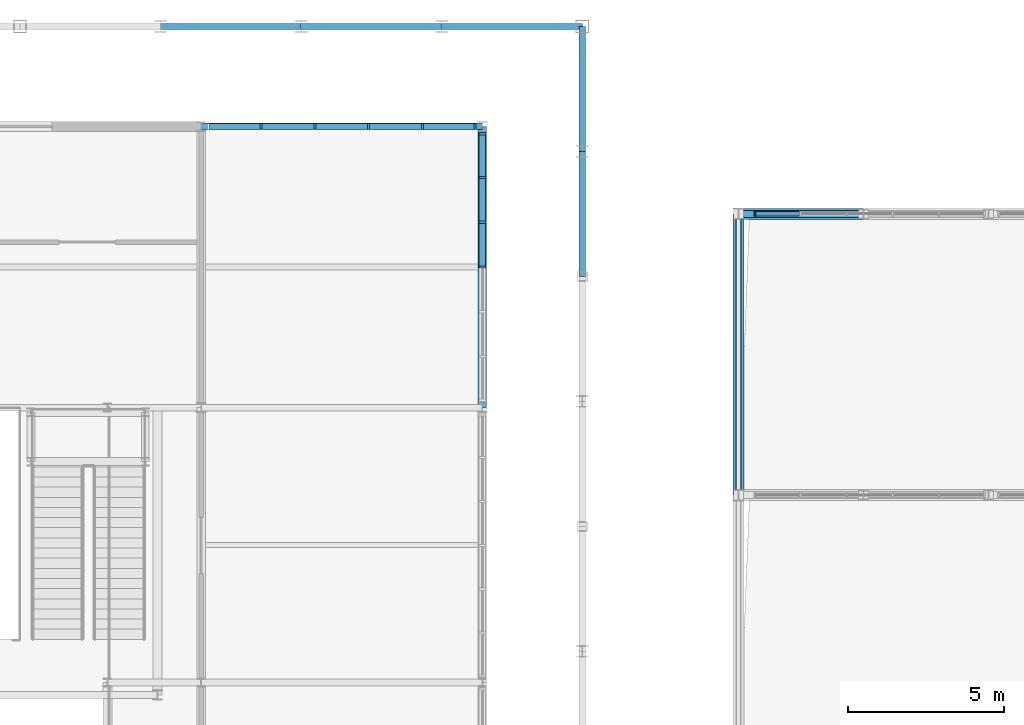
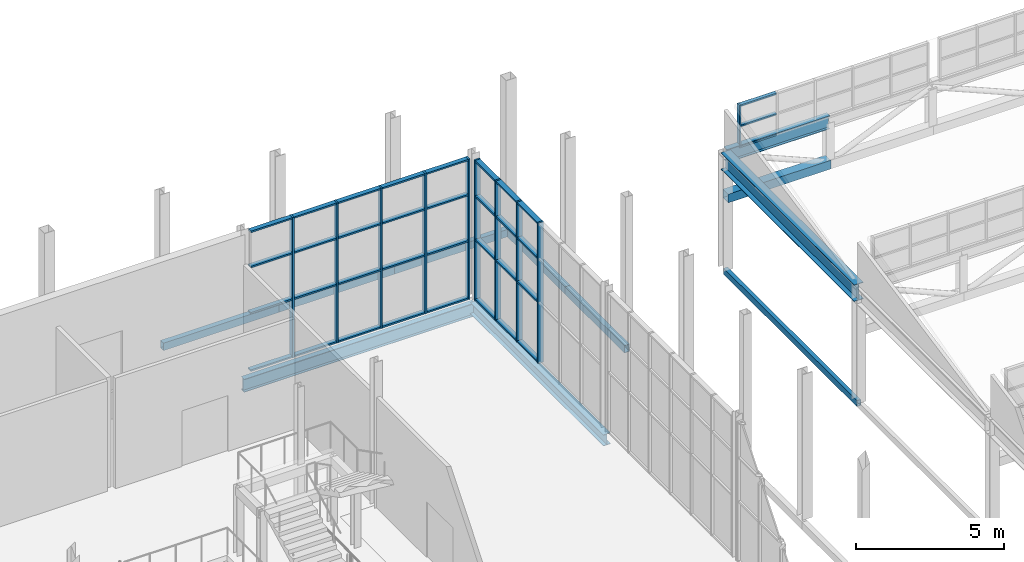
# One storey, part 84 of 159: 47 members, 9 beams, 3 elements without a shape of their own.
"""IFC4 building model written with IfcOpenShell, lengths in metres."""

import ifcopenshell
import ifcopenshell.guid

model = None  # the IFC model being written
_history = None  # IfcOwnerHistory: only IFC2X3 demands one
_inside = {}  # id of a spatial element -> (the spatial element, [elements in it])
_under = {}  # id of a project, library or spatial element -> (it, [spatial elements below it])
_declared = {}  # id of a project -> (the project, [libraries it declares])
_typed = {}  # id of a type object -> (the type object, [elements of that type])
_made_of = {}  # id of a material, layer set ... -> (it, [elements and type objects made of it])


def new_model(schema):
    """Start an empty IFC model of exactly this schema.

    Asked for "IFC4X3", IfcOpenShell would pick the latest addendum, in which some entities
    have other attributes; the version numbers below select the first issue.
    IFC2X3 requires an IfcOwnerHistory on every rooted entity: one is made here for all.
    """
    global model, _history
    if schema == "IFC4X3":
        model = ifcopenshell.file(schema_version=(4, 3, 0, 0))
    else:
        model = ifcopenshell.file(schema=schema)
    _inside.clear()
    _under.clear()
    _declared.clear()
    _typed.clear()
    _made_of.clear()
    _history = None
    if model.schema == "IFC2X3":
        org = make("IfcOrganization", Name="unknown")
        user = make(
            "IfcPersonAndOrganization",
            ThePerson=make("IfcPerson", FamilyName="unknown"),
            TheOrganization=org,
        )
        app = make(
            "IfcApplication",
            ApplicationDeveloper=org,
            Version="unknown",
            ApplicationFullName="unknown",
            ApplicationIdentifier="unknown",
        )
        _history = make(
            "IfcOwnerHistory",
            OwningUser=user,
            OwningApplication=app,
            ChangeAction="ADDED",
            CreationDate=0,
        )
    return model


def make(cls, **values):
    """One entity of the class cls with the attributes given. An attribute that is None is left unset."""
    return model.create_entity(
        cls, **{name: value for name, value in values.items() if value is not None}
    )


def rooted(cls, **values):
    """An entity with a GlobalId (a new one), such as an element, a storey or a relation."""
    return make(cls, GlobalId=ifcopenshell.guid.new(), OwnerHistory=_history, **values)


def si_unit(unit_type, name, prefix=None):
    """IfcSIUnit, for example si_unit("LENGTHUNIT", "METRE", prefix="MILLI")."""
    return make("IfcSIUnit", UnitType=unit_type, Prefix=prefix, Name=name)


def assignment(units):
    """IfcUnitAssignment: the units of a project."""
    return None if units is None else make("IfcUnitAssignment", Units=units)


def point(xyz):
    """IfcCartesianPoint."""
    return None if xyz is None else make("IfcCartesianPoint", Coordinates=xyz)


def direction(xyz):
    """IfcDirection."""
    return None if xyz is None else make("IfcDirection", DirectionRatios=xyz)


def frame(location, z_axis=None, x_axis=None):
    """IfcAxis2Placement3D, a coordinate frame: its origin and axes. An axis left out is left unset."""
    return make(
        "IfcAxis2Placement3D",
        Location=point(location),
        Axis=direction(z_axis),
        RefDirection=direction(x_axis),
    )


def frame_2d(location, x_axis=None):
    """IfcAxis2Placement2D, a coordinate frame in the plane: its origin and x axis."""
    return make(
        "IfcAxis2Placement2D", Location=point(location), RefDirection=direction(x_axis)
    )


def origin():
    """The frame at (0, 0, 0) with its axes left unset."""
    return frame((0.0, 0.0, 0.0))


def origin_2d():
    """The frame at (0, 0) in the plane with its x axis left unset."""
    return frame_2d((0.0, 0.0))


def place(relative_to, where):
    """IfcLocalPlacement: puts the frame where relative to a parent placement (None: the world)."""
    return make(
        "IfcLocalPlacement", PlacementRelTo=relative_to, RelativePlacement=where
    )


def context(
    kind, dimensions, precision=None, world=None, true_north=None, identifier=None
):
    """IfcGeometricRepresentationContext, for example the 3D "Model" context."""
    return make(
        "IfcGeometricRepresentationContext",
        ContextIdentifier=identifier,
        ContextType=kind,
        CoordinateSpaceDimension=dimensions,
        Precision=precision,
        WorldCoordinateSystem=world,
        TrueNorth=true_north,
    )


def subcontext(parent, identifier, kind, view, scale=None):
    """IfcGeometricRepresentationSubContext, for example "Body" below "Model"."""
    return make(
        "IfcGeometricRepresentationSubContext",
        ContextIdentifier=identifier,
        ContextType=kind,
        ParentContext=parent,
        TargetScale=scale,
        TargetView=view,
    )


def project(units=None, contexts=None):
    """IfcProject with its units and contexts."""
    return rooted(
        "IfcProject",
        Name="project",
        RepresentationContexts=contexts,
        UnitsInContext=assignment(units),
    )


def spatial(cls, under=None, at=None, **own):
    """A site, building, storey or space (cls), placed at a placement, below another one or the project."""
    s = rooted(cls, ObjectPlacement=at, **own)
    if under is not None:
        _under.setdefault(under.id(), (under, []))[1].append(s)
    return s


def profile(cls, at=None, kind="AREA", **sizes):
    """A parametric profile (cls). Its sizes go by their IFC names, for example OverallWidth=200.0."""
    return make(cls, ProfileType=kind, Position=at, **sizes)


def rectangle(**sizes):
    """IfcRectangleProfileDef."""
    return profile("IfcRectangleProfileDef", **sizes)


def hollow_rectangle(**sizes):
    """IfcRectangleHollowProfileDef."""
    return profile("IfcRectangleHollowProfileDef", **sizes)


def i_section(**sizes):
    """IfcIShapeProfileDef."""
    return profile("IfcIShapeProfileDef", **sizes)


def extrude(swept, where, along, depth):
    """IfcExtrudedAreaSolid: the profile swept, set in the frame where, extruded along a direction by depth."""
    return make(
        "IfcExtrudedAreaSolid",
        SweptArea=swept,
        Position=where,
        ExtrudedDirection=direction(along),
        Depth=depth,
    )


def shape(context_of_items, identifier, shape_type, items):
    """IfcShapeRepresentation: the items that make up one representation, for example the "Body"."""
    return make(
        "IfcShapeRepresentation",
        ContextOfItems=context_of_items,
        RepresentationIdentifier=identifier,
        RepresentationType=shape_type,
        Items=items,
    )


def material(Name=None, Category=None):
    """IfcMaterial."""
    return make("IfcMaterial", Name=Name, Category=Category)


def layer(
    of_material, thickness, ventilated=None, Name=None, Category=None, Priority=None
):
    """IfcMaterialLayer: one layer of a wall or slab, of a material (None: an air gap)."""
    return make(
        "IfcMaterialLayer",
        Material=of_material,
        LayerThickness=thickness,
        IsVentilated=ventilated,
        Name=Name,
        Category=Category,
        Priority=Priority,
    )


def layer_set(layers, Name=None):
    """IfcMaterialLayerSet."""
    return make("IfcMaterialLayerSet", MaterialLayers=layers, LayerSetName=Name)


def material_profile(
    of_material, cross_section, Name=None, Category=None, Priority=None
):
    """IfcMaterialProfile: a cross section and its material."""
    return make(
        "IfcMaterialProfile",
        Name=Name,
        Material=of_material,
        Profile=cross_section,
        Priority=Priority,
        Category=Category,
    )


def profile_set(profiles, Name=None, composite=None):
    """IfcMaterialProfileSet."""
    return make(
        "IfcMaterialProfileSet",
        Name=Name,
        MaterialProfiles=profiles,
        CompositeProfile=composite,
    )


def made_of(thing, what):
    """Note that an element or type object is made of a material, layer set ...; save() writes the relation."""
    if what is not None:
        _made_of.setdefault(what.id(), (what, []))[1].append(thing)
    return thing


def type_object(cls, material=None, **own):
    """A type object (cls), such as IfcWallType, which elements share."""
    return made_of(rooted(cls, **own), material)


def element(
    cls,
    number,
    at=None,
    inside=None,
    cuts=None,
    type_object=None,
    material=None,
    context=None,
    identifier="Body",
    shape_type=None,
    held_by="IfcProductDefinitionShape",
    body=None,
    shapes=None,
    **own,
):
    """One element of the class cls, such as IfcWall. Its Tag is "e" and its number.

    at: its placement. inside: the storey or other place that contains it. cuts: it is an
    opening in that element (IfcRelVoidsElement). A single representation is given by context,
    identifier, shape_type and body (its items); several are given by shapes. held_by: the class
    of the entity that holds the representations. save() writes the other relations.
    """
    e = rooted(cls, Tag="e%d" % number, ObjectPlacement=at, **own)
    if body is not None:
        shapes = [shape(context, identifier, shape_type, body)]
    if shapes is not None:
        e.Representation = make(held_by, Representations=shapes)
    if inside is not None:
        _inside.setdefault(inside.id(), (inside, []))[1].append(e)
    if cuts is not None:
        rooted(
            "IfcRelVoidsElement", RelatingBuildingElement=cuts, RelatedOpeningElement=e
        )
    if type_object is not None:
        _typed.setdefault(type_object.id(), (type_object, []))[1].append(e)
    return made_of(e, material)


def aggregate(whole, parts):
    """IfcRelAggregates: a whole, such as a stair, and the parts it consists of."""
    return rooted("IfcRelAggregates", RelatingObject=whole, RelatedObjects=parts)


def save(model, path):
    """Write the relations noted so far, then the file.

    IfcRelAggregates (storeys below a building ...), IfcRelContainedInSpatialStructure (elements
    in a storey), IfcRelDefinesByType, IfcRelAssociatesMaterial and IfcRelDeclares: one each for
    every whole, place, type object, material and project.
    """
    for whole, parts in _under.values():
        aggregate(whole, parts)
    for where, things in _inside.values():
        rooted(
            "IfcRelContainedInSpatialStructure",
            RelatedElements=things,
            RelatingStructure=where,
        )
    for kind, things in _typed.values():
        rooted("IfcRelDefinesByType", RelatedObjects=things, RelatingType=kind)
    for what, things in _made_of.values():
        rooted("IfcRelAssociatesMaterial", RelatedObjects=things, RelatingMaterial=what)
    for by, libraries in _declared.values():
        rooted("IfcRelDeclares", RelatingContext=by, RelatedDefinitions=libraries)
    model.write(path)


model = new_model("IFC4")

# Units and contexts
model_context = context("Model", 3, precision=1e-05, world=origin(), true_north=direction((0.0, 1.0)))
body_context = subcontext(model_context, "Body", "Model", "MODEL_VIEW")
ifc_project = project(units=[si_unit("LENGTHUNIT", "METRE"), si_unit("AREAUNIT", "SQUARE_METRE"), si_unit("VOLUMEUNIT", "CUBIC_METRE"), si_unit("PLANEANGLEUNIT", "RADIAN"), si_unit("MASSUNIT", "GRAM", prefix="KILO")], contexts=[model_context])

# Site, building, storey
site_placement = place(None, origin())
site = spatial("IfcSite", under=ifc_project, at=site_placement, CompositionType="ELEMENT")
building_placement = place(site_placement, origin())
building = spatial("IfcBuilding", under=site, at=building_placement, Name="Cazmaro Siding Exhibition Halls", CompositionType="ELEMENT")
storey_placement = place(building_placement, frame((0.0, 0.0, 6.0)))
storey = spatial("IfcBuildingStorey", under=building, at=storey_placement, Name="L01", CompositionType="ELEMENT", Elevation=6.0)

# Beams
ifc_material_1 = material(Name="Steel ASTM A992 Grade 50", Category="steel")
ifc_material_profile_1 = material_profile(ifc_material_1, i_section(OverallWidth=0.2099609375, OverallDepth=0.535888671875, WebThickness=0.010986328125, FlangeThickness=0.01708984375, at=origin_2d()), Name="W21X68")
ifc_profile_set_1 = profile_set([ifc_material_profile_1], Name="Steel ASTM A992 Grade 50")
beam_type_1 = type_object("IfcBeamType", Name="B-02", PredefinedType="BEAM", material=ifc_profile_set_1)
beam_1_placement = place(storey_placement, frame((158.800048828125, 120.800048828125, -0.488037109375), z_axis=(1.0, 0.0, 0.0), x_axis=(0.0, 1.0, 0.0)))
element("IfcBeam", 1, at=beam_1_placement, inside=storey, type_object=beam_type_1, Name="Beam B-02 BM-0298", PredefinedType="BEAM", context=body_context, shape_type="SweptSolid", body=[
    extrude(i_section(OverallWidth=0.2099609375, OverallDepth=0.535888671875, WebThickness=0.010986328125, FlangeThickness=0.01708984375, at=origin_2d()), origin(), (0.0, 0.0, 1.0), 9.0),
])
ifc_material_2 = material(Name="Steel ASTM A992 Grade 50", Category="steel")
ifc_material_profile_2 = material_profile(ifc_material_2, i_section(OverallWidth=0.279052734375, OverallDepth=0.4619140625, WebThickness=0.010986328125, FlangeThickness=0.01708984375, at=origin_2d()), Name="W18X76")
ifc_profile_set_2 = profile_set([ifc_material_profile_2], Name="Steel ASTM A992 Grade 50")
beam_type_2 = type_object("IfcBeamType", Name="B-03", PredefinedType="BEAM", material=ifc_profile_set_2)
beam_2_placement = place(storey_placement, frame((167.800048828125, 111.800048828125, -0.450927734375), z_axis=(0.0, 1.0, 0.0), x_axis=(-1.0, 0.0, 0.0)))
element("IfcBeam", 2, at=beam_2_placement, inside=storey, type_object=beam_type_2, Name="Beam B-03 BM-0313", PredefinedType="BEAM", context=body_context, shape_type="SweptSolid", body=[
    extrude(i_section(OverallWidth=0.279052734375, OverallDepth=0.4619140625, WebThickness=0.010986328125, FlangeThickness=0.01708984375, at=origin_2d()), origin(), (0.0, 0.0, 1.0), 9.0),
])

# Curtain wall, members
ifc_material_3 = material(Name="Anodized Bronze Aluminum and Solar-Control Low-E Glazing", Category="aluminium")
ifc_layer_1 = layer(ifc_material_3, 0.199951171875)
ifc_layer_set_1 = layer_set([ifc_layer_1], Name="Anodized Bronze Aluminum and Solar-Control Low-E Glazing")
curtain_wall_type_1 = type_object("IfcCurtainWallType", Name="CWS-02", PredefinedType="USERDEFINED", material=ifc_layer_set_1)
curtain_wall_1_placement = place(storey_placement, origin())
curtain_wall_1 = element("IfcCurtainWall", 3, at=curtain_wall_1_placement, inside=storey, type_object=curtain_wall_type_1, Name="Glazed Curtain Wall CWS-02 CW-048", ObjectType="GLAZED CURTAIN WALL", PredefinedType="USERDEFINED")
ifc_material_4 = material(Name="Anodized Bronze Extruded Aluminum", Category="aluminium")
ifc_material_profile_3 = material_profile(ifc_material_4, rectangle(XDim=0.199951171875, YDim=0.06494140625, at=origin_2d()), Name="CWM-02")
ifc_profile_set_3 = profile_set([ifc_material_profile_3], Name="Anodized Bronze Extruded Aluminum")
member_type_1 = type_object("IfcMemberType", Name="CWM-02", PredefinedType="MULLION", material=ifc_profile_set_3)
member_1_placement = place(storey_placement, frame((167.570556640625, 120.800048828125, 0.0), z_axis=(0.0, 0.0, 1.0), x_axis=(0.0, -1.0, 0.0)))
member_1 = element("IfcMember", 4, at=member_1_placement, type_object=member_type_1, Name="CWS-02 mullion 1", PredefinedType="MULLION", context=body_context, shape_type="SweptSolid", body=[
    extrude(rectangle(XDim=0.199951171875, YDim=0.06494140625, at=origin_2d()), origin(), (0.0, 0.0, 1.0), 5.780029296875),
])
member_2_placement = place(storey_placement, frame((165.8818359375, 120.800048828125, 0.0), z_axis=(0.0, 0.0, 1.0), x_axis=(0.0, -1.0, 0.0)))
member_2 = element("IfcMember", 5, at=member_2_placement, type_object=member_type_1, Name="CWS-02 mullion 2", PredefinedType="MULLION", context=body_context, shape_type="SweptSolid", body=[
    extrude(rectangle(XDim=0.199951171875, YDim=0.06494140625, at=origin_2d()), origin(), (0.0, 0.0, 1.0), 5.780029296875),
])
member_3_placement = place(storey_placement, frame((164.16064453125, 120.800048828125, 0.0), z_axis=(0.0, 0.0, 1.0), x_axis=(0.0, -1.0, 0.0)))
member_3 = element("IfcMember", 6, at=member_3_placement, type_object=member_type_1, Name="CWS-02 mullion 3", PredefinedType="MULLION", context=body_context, shape_type="SweptSolid", body=[
    extrude(rectangle(XDim=0.199951171875, YDim=0.06494140625, at=origin_2d()), origin(), (0.0, 0.0, 1.0), 5.780029296875),
])
member_4_placement = place(storey_placement, frame((162.439453125, 120.800048828125, 0.0), z_axis=(0.0, 0.0, 1.0), x_axis=(0.0, -1.0, 0.0)))
member_4 = element("IfcMember", 7, at=member_4_placement, type_object=member_type_1, Name="CWS-02 mullion 4", PredefinedType="MULLION", context=body_context, shape_type="SweptSolid", body=[
    extrude(rectangle(XDim=0.199951171875, YDim=0.06494140625, at=origin_2d()), origin(), (0.0, 0.0, 1.0), 5.780029296875),
])
member_5_placement = place(storey_placement, frame((160.71826171875, 120.800048828125, 0.0), z_axis=(0.0, 0.0, 1.0), x_axis=(0.0, -1.0, 0.0)))
member_5 = element("IfcMember", 8, at=member_5_placement, type_object=member_type_1, Name="CWS-02 mullion 5", PredefinedType="MULLION", context=body_context, shape_type="SweptSolid", body=[
    extrude(rectangle(XDim=0.199951171875, YDim=0.06494140625, at=origin_2d()), origin(), (0.0, 0.0, 1.0), 5.780029296875),
])

ifc_material_5 = material(Name="Anodized Bronze Aluminum and Solar-Control Low-E Glazing", Category="aluminium")
ifc_layer_2 = layer(ifc_material_5, 0.219970703125)
ifc_layer_set_2 = layer_set([ifc_layer_2], Name="Anodized Bronze Aluminum and Solar-Control Low-E Glazing")
curtain_wall_type_2 = type_object("IfcCurtainWallType", Name="CWS-03", PredefinedType="USERDEFINED", material=ifc_layer_set_2)
curtain_wall_2_placement = place(storey_placement, origin())
curtain_wall_2 = element("IfcCurtainWall", 9, at=curtain_wall_2_placement, inside=storey, type_object=curtain_wall_type_2, Name="Glazed Curtain Wall CWS-03 CW-078", ObjectType="GLAZED CURTAIN WALL", PredefinedType="USERDEFINED")
ifc_material_6 = material(Name="Anodized Bronze Extruded Aluminum", Category="aluminium")
ifc_material_profile_4 = material_profile(ifc_material_6, rectangle(XDim=0.219970703125, YDim=0.070068359375, at=origin_2d()), Name="CWM-03")
ifc_profile_set_4 = profile_set([ifc_material_profile_4], Name="Anodized Bronze Extruded Aluminum")
member_type_2 = type_object("IfcMemberType", Name="CWM-03", PredefinedType="MULLION", material=ifc_profile_set_4)
member_6_placement = place(storey_placement, frame((167.800048828125, 116.300048828125, 0.0), z_axis=(0.0, 0.0, 1.0), x_axis=(-1.0, 0.0, 0.0)))
member_6 = element("IfcMember", 10, at=member_6_placement, type_object=member_type_2, Name="CWS-03 mullion 4", PredefinedType="MULLION", context=body_context, shape_type="SweptSolid", body=[
    extrude(rectangle(XDim=0.219970703125, YDim=0.070068359375, at=origin_2d()), origin(), (0.0, 0.0, 1.0), 5.780029296875),
])
member_7_placement = place(storey_placement, frame((167.800048828125, 117.73388671875, 0.0), z_axis=(0.0, 0.0, 1.0), x_axis=(-1.0, 0.0, 0.0)))
member_7 = element("IfcMember", 11, at=member_7_placement, type_object=member_type_2, Name="CWS-03 mullion 5", PredefinedType="MULLION", context=body_context, shape_type="SweptSolid", body=[
    extrude(rectangle(XDim=0.219970703125, YDim=0.070068359375, at=origin_2d()), origin(), (0.0, 0.0, 1.0), 5.780029296875),
])
member_8_placement = place(storey_placement, frame((167.800048828125, 119.16796875, 0.0), z_axis=(0.0, 0.0, 1.0), x_axis=(-1.0, 0.0, 0.0)))
member_8 = element("IfcMember", 12, at=member_8_placement, type_object=member_type_2, Name="CWS-03 mullion 6", PredefinedType="MULLION", context=body_context, shape_type="SweptSolid", body=[
    extrude(rectangle(XDim=0.219970703125, YDim=0.070068359375, at=origin_2d()), origin(), (0.0, 0.0, 1.0), 5.780029296875),
])
member_9_placement = place(storey_placement, frame((167.800048828125, 120.56689453125, 0.0), z_axis=(0.0, 0.0, 1.0), x_axis=(-1.0, 0.0, 0.0)))
member_9 = element("IfcMember", 13, at=member_9_placement, type_object=member_type_2, Name="CWS-03 mullion 7", PredefinedType="MULLION", context=body_context, shape_type="SweptSolid", body=[
    extrude(rectangle(XDim=0.219970703125, YDim=0.070068359375, at=origin_2d()), origin(), (0.0, 0.0, 1.0), 5.780029296875),
])

# Curtain wall, member
ifc_material_7 = material(Name="Anodized Bronze Aluminum and Solar-Control Low-E Glazing", Category="aluminium")
ifc_layer_3 = layer(ifc_material_7, 0.159912109375)
ifc_layer_set_3 = layer_set([ifc_layer_3], Name="Anodized Bronze Aluminum and Solar-Control Low-E Glazing")
curtain_wall_type_3 = type_object("IfcCurtainWallType", Name="CWS-04", PredefinedType="USERDEFINED", material=ifc_layer_set_3)
curtain_wall_3_placement = place(storey_placement, origin())
curtain_wall_3 = element("IfcCurtainWall", 14, at=curtain_wall_3_placement, inside=storey, type_object=curtain_wall_type_3, Name="Clerestory Curtain Wall CWS-04 CW-135", ObjectType="CLERESTORY CURTAIN WALL", PredefinedType="USERDEFINED")
ifc_material_8 = material(Name="Anodized Bronze Extruded Aluminum", Category="aluminium")
ifc_material_profile_5 = material_profile(ifc_material_8, rectangle(XDim=0.159912109375, YDim=0.06005859375, at=origin_2d()), Name="CWM-04")
ifc_profile_set_5 = profile_set([ifc_material_profile_5], Name="Anodized Bronze Extruded Aluminum")
member_type_3 = type_object("IfcMemberType", Name="CWM-04", PredefinedType="MULLION", material=ifc_profile_set_5)
member_10_placement = place(storey_placement, frame((176.530029296875, 118.0, 4.800048828125), z_axis=(0.0, 0.0, 1.0), x_axis=(0.0, -1.0, 0.0)))
member_10 = element("IfcMember", 15, at=member_10_placement, type_object=member_type_3, Name="CWS-04 mullion 6", PredefinedType="MULLION", context=body_context, shape_type="SweptSolid", body=[
    extrude(rectangle(XDim=0.159912109375, YDim=0.06005859375, at=origin_2d()), origin(), (0.0, 0.0, 1.0), 1.75),
])

# Member
ifc_material_9 = material(Name="Anodized Bronze Extruded Aluminum", Category="aluminium")
ifc_material_profile_6 = material_profile(ifc_material_9, rectangle(XDim=0.179931640625, YDim=0.06494140625, at=origin_2d()), Name="CWT-02")
ifc_profile_set_6 = profile_set([ifc_material_profile_6], Name="Anodized Bronze Extruded Aluminum")
member_type_4 = type_object("IfcMemberType", Name="CWT-02", PredefinedType="MULLION", material=ifc_profile_set_6)
member_11_placement = place(storey_placement, frame((167.5380859375, 120.800048828125, 0.032470703125), z_axis=(-1.0, 0.0, 0.0), x_axis=(0.0, -1.0, 0.0)))
member_11 = element("IfcMember", 16, at=member_11_placement, type_object=member_type_4, Name="CWS-02 transom 1.1", ObjectType="TRANSOM", PredefinedType="USERDEFINED", context=body_context, shape_type="SweptSolid", body=[
    extrude(rectangle(XDim=0.179931640625, YDim=0.06494140625, at=origin_2d()), origin(), (0.0, 0.0, 1.0), 1.623779296875),
])

member_12_placement = place(storey_placement, frame((167.5380859375, 120.800048828125, 2.39990234375), z_axis=(-1.0, 0.0, 0.0), x_axis=(0.0, -1.0, 0.0)))
member_12 = element("IfcMember", 17, at=member_12_placement, type_object=member_type_4, Name="CWS-02 transom 1.2", ObjectType="TRANSOM", PredefinedType="USERDEFINED", context=body_context, shape_type="SweptSolid", body=[
    extrude(rectangle(XDim=0.179931640625, YDim=0.06494140625, at=origin_2d()), origin(), (0.0, 0.0, 1.0), 1.623779296875),
])

member_13_placement = place(storey_placement, frame((167.5380859375, 120.800048828125, 4.300048828125), z_axis=(-1.0, 0.0, 0.0), x_axis=(0.0, -1.0, 0.0)))
member_13 = element("IfcMember", 18, at=member_13_placement, type_object=member_type_4, Name="CWS-02 transom 1.3", ObjectType="TRANSOM", PredefinedType="USERDEFINED", context=body_context, shape_type="SweptSolid", body=[
    extrude(rectangle(XDim=0.179931640625, YDim=0.06494140625, at=origin_2d()), origin(), (0.0, 0.0, 1.0), 1.623779296875),
])

member_14_placement = place(storey_placement, frame((167.5380859375, 120.800048828125, 5.74755859375), z_axis=(-1.0, 0.0, 0.0), x_axis=(0.0, -1.0, 0.0)))
member_14 = element("IfcMember", 19, at=member_14_placement, type_object=member_type_4, Name="CWS-02 transom 1.4", ObjectType="TRANSOM", PredefinedType="USERDEFINED", context=body_context, shape_type="SweptSolid", body=[
    extrude(rectangle(XDim=0.179931640625, YDim=0.06494140625, at=origin_2d()), origin(), (0.0, 0.0, 1.0), 1.623779296875),
])

member_15_placement = place(storey_placement, frame((165.849365234375, 120.800048828125, 0.032470703125), z_axis=(-1.0, 0.0, 0.0), x_axis=(0.0, -1.0, 0.0)))
member_15 = element("IfcMember", 20, at=member_15_placement, type_object=member_type_4, Name="CWS-02 transom 2.1", ObjectType="TRANSOM", PredefinedType="USERDEFINED", context=body_context, shape_type="SweptSolid", body=[
    extrude(rectangle(XDim=0.179931640625, YDim=0.06494140625, at=origin_2d()), origin(), (0.0, 0.0, 1.0), 1.65625),
])

member_16_placement = place(storey_placement, frame((165.849365234375, 120.800048828125, 2.39990234375), z_axis=(-1.0, 0.0, 0.0), x_axis=(0.0, -1.0, 0.0)))
member_16 = element("IfcMember", 21, at=member_16_placement, type_object=member_type_4, Name="CWS-02 transom 2.2", ObjectType="TRANSOM", PredefinedType="USERDEFINED", context=body_context, shape_type="SweptSolid", body=[
    extrude(rectangle(XDim=0.179931640625, YDim=0.06494140625, at=origin_2d()), origin(), (0.0, 0.0, 1.0), 1.65625),
])

member_17_placement = place(storey_placement, frame((165.849365234375, 120.800048828125, 4.300048828125), z_axis=(-1.0, 0.0, 0.0), x_axis=(0.0, -1.0, 0.0)))
member_17 = element("IfcMember", 22, at=member_17_placement, type_object=member_type_4, Name="CWS-02 transom 2.3", ObjectType="TRANSOM", PredefinedType="USERDEFINED", context=body_context, shape_type="SweptSolid", body=[
    extrude(rectangle(XDim=0.179931640625, YDim=0.06494140625, at=origin_2d()), origin(), (0.0, 0.0, 1.0), 1.65625),
])

member_18_placement = place(storey_placement, frame((165.849365234375, 120.800048828125, 5.74755859375), z_axis=(-1.0, 0.0, 0.0), x_axis=(0.0, -1.0, 0.0)))
member_18 = element("IfcMember", 23, at=member_18_placement, type_object=member_type_4, Name="CWS-02 transom 2.4", ObjectType="TRANSOM", PredefinedType="USERDEFINED", context=body_context, shape_type="SweptSolid", body=[
    extrude(rectangle(XDim=0.179931640625, YDim=0.06494140625, at=origin_2d()), origin(), (0.0, 0.0, 1.0), 1.65625),
])

member_19_placement = place(storey_placement, frame((164.128173828125, 120.800048828125, 0.032470703125), z_axis=(-1.0, 0.0, 0.0), x_axis=(0.0, -1.0, 0.0)))
member_19 = element("IfcMember", 24, at=member_19_placement, type_object=member_type_4, Name="CWS-02 transom 3.1", ObjectType="TRANSOM", PredefinedType="USERDEFINED", context=body_context, shape_type="SweptSolid", body=[
    extrude(rectangle(XDim=0.179931640625, YDim=0.06494140625, at=origin_2d()), origin(), (0.0, 0.0, 1.0), 1.65625),
])

member_20_placement = place(storey_placement, frame((164.128173828125, 120.800048828125, 2.39990234375), z_axis=(-1.0, 0.0, 0.0), x_axis=(0.0, -1.0, 0.0)))
member_20 = element("IfcMember", 25, at=member_20_placement, type_object=member_type_4, Name="CWS-02 transom 3.2", ObjectType="TRANSOM", PredefinedType="USERDEFINED", context=body_context, shape_type="SweptSolid", body=[
    extrude(rectangle(XDim=0.179931640625, YDim=0.06494140625, at=origin_2d()), origin(), (0.0, 0.0, 1.0), 1.65625),
])

member_21_placement = place(storey_placement, frame((164.128173828125, 120.800048828125, 4.300048828125), z_axis=(-1.0, 0.0, 0.0), x_axis=(0.0, -1.0, 0.0)))
member_21 = element("IfcMember", 26, at=member_21_placement, type_object=member_type_4, Name="CWS-02 transom 3.3", ObjectType="TRANSOM", PredefinedType="USERDEFINED", context=body_context, shape_type="SweptSolid", body=[
    extrude(rectangle(XDim=0.179931640625, YDim=0.06494140625, at=origin_2d()), origin(), (0.0, 0.0, 1.0), 1.65625),
])

member_22_placement = place(storey_placement, frame((164.128173828125, 120.800048828125, 5.74755859375), z_axis=(-1.0, 0.0, 0.0), x_axis=(0.0, -1.0, 0.0)))
member_22 = element("IfcMember", 27, at=member_22_placement, type_object=member_type_4, Name="CWS-02 transom 3.4", ObjectType="TRANSOM", PredefinedType="USERDEFINED", context=body_context, shape_type="SweptSolid", body=[
    extrude(rectangle(XDim=0.179931640625, YDim=0.06494140625, at=origin_2d()), origin(), (0.0, 0.0, 1.0), 1.65625),
])

member_23_placement = place(storey_placement, frame((162.406982421875, 120.800048828125, 0.032470703125), z_axis=(-1.0, 0.0, 0.0), x_axis=(0.0, -1.0, 0.0)))
member_23 = element("IfcMember", 28, at=member_23_placement, type_object=member_type_4, Name="CWS-02 transom 4.1", ObjectType="TRANSOM", PredefinedType="USERDEFINED", context=body_context, shape_type="SweptSolid", body=[
    extrude(rectangle(XDim=0.179931640625, YDim=0.06494140625, at=origin_2d()), origin(), (0.0, 0.0, 1.0), 1.65625),
])

member_24_placement = place(storey_placement, frame((162.406982421875, 120.800048828125, 2.39990234375), z_axis=(-1.0, 0.0, 0.0), x_axis=(0.0, -1.0, 0.0)))
member_24 = element("IfcMember", 29, at=member_24_placement, type_object=member_type_4, Name="CWS-02 transom 4.2", ObjectType="TRANSOM", PredefinedType="USERDEFINED", context=body_context, shape_type="SweptSolid", body=[
    extrude(rectangle(XDim=0.179931640625, YDim=0.06494140625, at=origin_2d()), origin(), (0.0, 0.0, 1.0), 1.65625),
])

member_25_placement = place(storey_placement, frame((162.406982421875, 120.800048828125, 4.300048828125), z_axis=(-1.0, 0.0, 0.0), x_axis=(0.0, -1.0, 0.0)))
member_25 = element("IfcMember", 30, at=member_25_placement, type_object=member_type_4, Name="CWS-02 transom 4.3", ObjectType="TRANSOM", PredefinedType="USERDEFINED", context=body_context, shape_type="SweptSolid", body=[
    extrude(rectangle(XDim=0.179931640625, YDim=0.06494140625, at=origin_2d()), origin(), (0.0, 0.0, 1.0), 1.65625),
])

member_26_placement = place(storey_placement, frame((162.406982421875, 120.800048828125, 5.74755859375), z_axis=(-1.0, 0.0, 0.0), x_axis=(0.0, -1.0, 0.0)))
member_26 = element("IfcMember", 31, at=member_26_placement, type_object=member_type_4, Name="CWS-02 transom 4.4", ObjectType="TRANSOM", PredefinedType="USERDEFINED", context=body_context, shape_type="SweptSolid", body=[
    extrude(rectangle(XDim=0.179931640625, YDim=0.06494140625, at=origin_2d()), origin(), (0.0, 0.0, 1.0), 1.65625),
])

member_27_placement = place(storey_placement, frame((160.685791015625, 120.800048828125, 0.032470703125), z_axis=(-1.0, 0.0, 0.0), x_axis=(0.0, -1.0, 0.0)))
member_27 = element("IfcMember", 32, at=member_27_placement, type_object=member_type_4, Name="CWS-02 transom 5.1", ObjectType="TRANSOM", PredefinedType="USERDEFINED", context=body_context, shape_type="SweptSolid", body=[
    extrude(rectangle(XDim=0.179931640625, YDim=0.06494140625, at=origin_2d()), origin(), (0.0, 0.0, 1.0), 1.623779296875),
])

member_28_placement = place(storey_placement, frame((160.685791015625, 120.800048828125, 2.39990234375), z_axis=(-1.0, 0.0, 0.0), x_axis=(0.0, -1.0, 0.0)))
member_28 = element("IfcMember", 33, at=member_28_placement, type_object=member_type_4, Name="CWS-02 transom 5.2", ObjectType="TRANSOM", PredefinedType="USERDEFINED", context=body_context, shape_type="SweptSolid", body=[
    extrude(rectangle(XDim=0.179931640625, YDim=0.06494140625, at=origin_2d()), origin(), (0.0, 0.0, 1.0), 1.623779296875),
])

member_29_placement = place(storey_placement, frame((160.685791015625, 120.800048828125, 4.300048828125), z_axis=(-1.0, 0.0, 0.0), x_axis=(0.0, -1.0, 0.0)))
member_29 = element("IfcMember", 34, at=member_29_placement, type_object=member_type_4, Name="CWS-02 transom 5.3", ObjectType="TRANSOM", PredefinedType="USERDEFINED", context=body_context, shape_type="SweptSolid", body=[
    extrude(rectangle(XDim=0.179931640625, YDim=0.06494140625, at=origin_2d()), origin(), (0.0, 0.0, 1.0), 1.623779296875),
])

member_30_placement = place(storey_placement, frame((160.685791015625, 120.800048828125, 5.74755859375), z_axis=(-1.0, 0.0, 0.0), x_axis=(0.0, -1.0, 0.0)))
member_30 = element("IfcMember", 35, at=member_30_placement, type_object=member_type_4, Name="CWS-02 transom 5.4", ObjectType="TRANSOM", PredefinedType="USERDEFINED", context=body_context, shape_type="SweptSolid", body=[
    extrude(rectangle(XDim=0.179931640625, YDim=0.06494140625, at=origin_2d()), origin(), (0.0, 0.0, 1.0), 1.623779296875),
])

aggregate(curtain_wall_1, [member_1, member_2, member_3, member_4, member_5, member_11, member_12, member_13, member_14, member_15, member_16, member_17, member_18, member_19, member_20, member_21, member_22, member_23, member_24, member_25, member_26, member_27, member_28, member_29, member_30])

ifc_material_10 = material(Name="Anodized Bronze Extruded Aluminum", Category="aluminium")
ifc_material_profile_7 = material_profile(ifc_material_10, rectangle(XDim=0.199951171875, YDim=0.070068359375, at=origin_2d()), Name="CWT-03")
ifc_profile_set_7 = profile_set([ifc_material_profile_7], Name="Anodized Bronze Extruded Aluminum")
member_type_5 = type_object("IfcMemberType", Name="CWT-03", PredefinedType="MULLION", material=ifc_profile_set_7)
member_31_placement = place(storey_placement, frame((167.800048828125, 116.3349609375, 0.034912109375), z_axis=(0.0, 1.0, 0.0), x_axis=(-1.0, 0.0, 0.0)))
member_31 = element("IfcMember", 36, at=member_31_placement, type_object=member_type_5, Name="CWS-03 transom 4.1", ObjectType="TRANSOM", PredefinedType="USERDEFINED", context=body_context, shape_type="SweptSolid", body=[
    extrude(rectangle(XDim=0.199951171875, YDim=0.070068359375, at=origin_2d()), origin(), (0.0, 0.0, 1.0), 1.364013671875),
])

member_32_placement = place(storey_placement, frame((167.800048828125, 116.3349609375, 2.5), z_axis=(0.0, 1.0, 0.0), x_axis=(-1.0, 0.0, 0.0)))
member_32 = element("IfcMember", 37, at=member_32_placement, type_object=member_type_5, Name="CWS-03 transom 4.2", ObjectType="TRANSOM", PredefinedType="USERDEFINED", context=body_context, shape_type="SweptSolid", body=[
    extrude(rectangle(XDim=0.199951171875, YDim=0.070068359375, at=origin_2d()), origin(), (0.0, 0.0, 1.0), 1.364013671875),
])

member_33_placement = place(storey_placement, frame((167.800048828125, 116.3349609375, 4.300048828125), z_axis=(0.0, 1.0, 0.0), x_axis=(-1.0, 0.0, 0.0)))
member_33 = element("IfcMember", 38, at=member_33_placement, type_object=member_type_5, Name="CWS-03 transom 4.3", ObjectType="TRANSOM", PredefinedType="USERDEFINED", context=body_context, shape_type="SweptSolid", body=[
    extrude(rectangle(XDim=0.199951171875, YDim=0.070068359375, at=origin_2d()), origin(), (0.0, 0.0, 1.0), 1.364013671875),
])

member_34_placement = place(storey_placement, frame((167.800048828125, 116.3349609375, 5.7451171875), z_axis=(0.0, 1.0, 0.0), x_axis=(-1.0, 0.0, 0.0)))
member_34 = element("IfcMember", 39, at=member_34_placement, type_object=member_type_5, Name="CWS-03 transom 4.4", ObjectType="TRANSOM", PredefinedType="USERDEFINED", context=body_context, shape_type="SweptSolid", body=[
    extrude(rectangle(XDim=0.199951171875, YDim=0.070068359375, at=origin_2d()), origin(), (0.0, 0.0, 1.0), 1.364013671875),
])

member_35_placement = place(storey_placement, frame((167.800048828125, 117.76904296875, 0.034912109375), z_axis=(0.0, 1.0, 0.0), x_axis=(-1.0, 0.0, 0.0)))
member_35 = element("IfcMember", 40, at=member_35_placement, type_object=member_type_5, Name="CWS-03 transom 5.1", ObjectType="TRANSOM", PredefinedType="USERDEFINED", context=body_context, shape_type="SweptSolid", body=[
    extrude(rectangle(XDim=0.199951171875, YDim=0.070068359375, at=origin_2d()), origin(), (0.0, 0.0, 1.0), 1.364013671875),
])

member_36_placement = place(storey_placement, frame((167.800048828125, 117.76904296875, 2.5), z_axis=(0.0, 1.0, 0.0), x_axis=(-1.0, 0.0, 0.0)))
member_36 = element("IfcMember", 41, at=member_36_placement, type_object=member_type_5, Name="CWS-03 transom 5.2", ObjectType="TRANSOM", PredefinedType="USERDEFINED", context=body_context, shape_type="SweptSolid", body=[
    extrude(rectangle(XDim=0.199951171875, YDim=0.070068359375, at=origin_2d()), origin(), (0.0, 0.0, 1.0), 1.364013671875),
])

member_37_placement = place(storey_placement, frame((167.800048828125, 117.76904296875, 4.300048828125), z_axis=(0.0, 1.0, 0.0), x_axis=(-1.0, 0.0, 0.0)))
member_37 = element("IfcMember", 42, at=member_37_placement, type_object=member_type_5, Name="CWS-03 transom 5.3", ObjectType="TRANSOM", PredefinedType="USERDEFINED", context=body_context, shape_type="SweptSolid", body=[
    extrude(rectangle(XDim=0.199951171875, YDim=0.070068359375, at=origin_2d()), origin(), (0.0, 0.0, 1.0), 1.364013671875),
])

member_38_placement = place(storey_placement, frame((167.800048828125, 117.76904296875, 5.7451171875), z_axis=(0.0, 1.0, 0.0), x_axis=(-1.0, 0.0, 0.0)))
member_38 = element("IfcMember", 43, at=member_38_placement, type_object=member_type_5, Name="CWS-03 transom 5.4", ObjectType="TRANSOM", PredefinedType="USERDEFINED", context=body_context, shape_type="SweptSolid", body=[
    extrude(rectangle(XDim=0.199951171875, YDim=0.070068359375, at=origin_2d()), origin(), (0.0, 0.0, 1.0), 1.364013671875),
])

member_39_placement = place(storey_placement, frame((167.800048828125, 119.202880859375, 0.034912109375), z_axis=(0.0, 1.0, 0.0), x_axis=(-1.0, 0.0, 0.0)))
member_39 = element("IfcMember", 44, at=member_39_placement, type_object=member_type_5, Name="CWS-03 transom 6.1", ObjectType="TRANSOM", PredefinedType="USERDEFINED", context=body_context, shape_type="SweptSolid", body=[
    extrude(rectangle(XDim=0.199951171875, YDim=0.070068359375, at=origin_2d()), origin(), (0.0, 0.0, 1.0), 1.3291015625),
])

member_40_placement = place(storey_placement, frame((167.800048828125, 119.202880859375, 2.5), z_axis=(0.0, 1.0, 0.0), x_axis=(-1.0, 0.0, 0.0)))
member_40 = element("IfcMember", 45, at=member_40_placement, type_object=member_type_5, Name="CWS-03 transom 6.2", ObjectType="TRANSOM", PredefinedType="USERDEFINED", context=body_context, shape_type="SweptSolid", body=[
    extrude(rectangle(XDim=0.199951171875, YDim=0.070068359375, at=origin_2d()), origin(), (0.0, 0.0, 1.0), 1.3291015625),
])

member_41_placement = place(storey_placement, frame((167.800048828125, 119.202880859375, 4.300048828125), z_axis=(0.0, 1.0, 0.0), x_axis=(-1.0, 0.0, 0.0)))
member_41 = element("IfcMember", 46, at=member_41_placement, type_object=member_type_5, Name="CWS-03 transom 6.3", ObjectType="TRANSOM", PredefinedType="USERDEFINED", context=body_context, shape_type="SweptSolid", body=[
    extrude(rectangle(XDim=0.199951171875, YDim=0.070068359375, at=origin_2d()), origin(), (0.0, 0.0, 1.0), 1.3291015625),
])

member_42_placement = place(storey_placement, frame((167.800048828125, 119.202880859375, 5.7451171875), z_axis=(0.0, 1.0, 0.0), x_axis=(-1.0, 0.0, 0.0)))
member_42 = element("IfcMember", 47, at=member_42_placement, type_object=member_type_5, Name="CWS-03 transom 6.4", ObjectType="TRANSOM", PredefinedType="USERDEFINED", context=body_context, shape_type="SweptSolid", body=[
    extrude(rectangle(XDim=0.199951171875, YDim=0.070068359375, at=origin_2d()), origin(), (0.0, 0.0, 1.0), 1.3291015625),
])

aggregate(curtain_wall_2, [member_6, member_7, member_8, member_9, member_31, member_32, member_33, member_34, member_35, member_36, member_37, member_38, member_39, member_40, member_41, member_42])

ifc_material_11 = material(Name="Anodized Bronze Extruded Aluminum", Category="aluminium")
ifc_material_profile_8 = material_profile(ifc_material_11, rectangle(XDim=0.139892578125, YDim=0.06005859375, at=origin_2d()), Name="CWT-04")
ifc_profile_set_8 = profile_set([ifc_material_profile_8], Name="Anodized Bronze Extruded Aluminum")
member_type_6 = type_object("IfcMemberType", Name="CWT-04", PredefinedType="MULLION", material=ifc_profile_set_8)
member_43_placement = place(storey_placement, frame((177.949951171875, 118.0, 4.830078125), z_axis=(-1.0, 0.0, 0.0), x_axis=(0.0, -1.0, 0.0)))
member_43 = element("IfcMember", 48, at=member_43_placement, type_object=member_type_6, Name="CWS-04 transom 5.1", ObjectType="TRANSOM", PredefinedType="USERDEFINED", context=body_context, shape_type="SweptSolid", body=[
    extrude(rectangle(XDim=0.139892578125, YDim=0.06005859375, at=origin_2d()), origin(), (0.0, 0.0, 1.0), 1.389892578125),
])

member_44_placement = place(storey_placement, frame((177.949951171875, 118.0, 5.679931640625), z_axis=(-1.0, 0.0, 0.0), x_axis=(0.0, -1.0, 0.0)))
member_44 = element("IfcMember", 49, at=member_44_placement, type_object=member_type_6, Name="CWS-04 transom 5.2", ObjectType="TRANSOM", PredefinedType="USERDEFINED", context=body_context, shape_type="SweptSolid", body=[
    extrude(rectangle(XDim=0.139892578125, YDim=0.06005859375, at=origin_2d()), origin(), (0.0, 0.0, 1.0), 1.389892578125),
])

member_45_placement = place(storey_placement, frame((177.949951171875, 118.0, 6.52001953125), z_axis=(-1.0, 0.0, 0.0), x_axis=(0.0, -1.0, 0.0)))
member_45 = element("IfcMember", 50, at=member_45_placement, type_object=member_type_6, Name="CWS-04 transom 5.3", ObjectType="TRANSOM", PredefinedType="USERDEFINED", context=body_context, shape_type="SweptSolid", body=[
    extrude(rectangle(XDim=0.139892578125, YDim=0.06005859375, at=origin_2d()), origin(), (0.0, 0.0, 1.0), 1.389892578125),
])

aggregate(curtain_wall_3, [member_10, member_43, member_44, member_45])

# Beams
ifc_material_12 = material(Name="Steel ASTM A992 Grade 50", Category="steel")
ifc_material_profile_9 = material_profile(ifc_material_12, i_section(OverallWidth=0.35595703125, OverallDepth=0.696044921875, WebThickness=0.014892578125, FlangeThickness=0.02490234375, at=origin_2d()), Name="W27X146")
ifc_profile_set_9 = profile_set([ifc_material_profile_9], Name="Steel ASTM A992 Grade 50")
beam_type_3 = type_object("IfcBeamType", Name="G-05", PredefinedType="USERDEFINED", material=ifc_profile_set_9)
beam_3_placement = place(storey_placement, frame((176.0, 109.0, 4.451904296875), z_axis=(0.0, 1.0, 0.0), x_axis=(-1.0, 0.0, 0.0)))
element("IfcBeam", 51, at=beam_3_placement, inside=storey, type_object=beam_type_3, Name="Beam G-05 BM-1564", ObjectType="GIRDER", PredefinedType="USERDEFINED", context=body_context, shape_type="SweptSolid", body=[
    extrude(i_section(OverallWidth=0.35595703125, OverallDepth=0.696044921875, WebThickness=0.014892578125, FlangeThickness=0.02490234375, at=origin_2d()), origin(), (0.0, 0.0, 1.0), 9.0),
])
ifc_material_13 = material(Name="Steel ASTM A500 Grade C", Category="steel")
ifc_material_profile_10 = material_profile(ifc_material_13, hollow_rectangle(XDim=0.202880859375, YDim=0.304931640625, WallThickness=0.011962890625, at=origin_2d()), Name="HSS12X8X1/2")
ifc_profile_set_10 = profile_set([ifc_material_profile_10], Name="Steel ASTM A500 Grade C")
beam_type_4 = type_object("IfcBeamType", Name="SP-01", PredefinedType="SPANDREL", material=ifc_profile_set_10)
for number, where, z_axis, x_axis, name in (
    (52, (171.0, 116.0, -0.3720703125), (0.0, 1.0, 0.0), (-1.0, 0.0, 0.0), "Beam SP-01 BM-0057"),
    (53, (171.0, 120.0, -0.3720703125), (0.0, 1.0, 0.0), (-1.0, 0.0, 0.0), "Beam SP-01 BM-0059"),
):
    element("IfcBeam", number, at=place(storey_placement, frame(where, z_axis=z_axis, x_axis=x_axis)), inside=storey, type_object=beam_type_4, Name=name, PredefinedType="SPANDREL", context=body_context, shape_type="SweptSolid", body=[
        extrude(hollow_rectangle(XDim=0.202880859375, YDim=0.304931640625, WallThickness=0.011962890625, at=origin_2d()), origin(), (0.0, 0.0, 1.0), 4.0),
    ])
for number, where, z_axis, x_axis, name in (
    (54, (157.5, 124.0, -0.3720703125), (1.0, 0.0, 0.0), (0.0, 1.0, 0.0), "Beam SP-01 BM-0214"),
    (55, (162.0, 124.0, -0.3720703125), (1.0, 0.0, 0.0), (0.0, 1.0, 0.0), "Beam SP-01 BM-0220"),
    (56, (166.5, 124.0, -0.3720703125), (1.0, 0.0, 0.0), (0.0, 1.0, 0.0), "Beam SP-01 BM-0226"),
):
    element("IfcBeam", number, at=place(storey_placement, frame(where, z_axis=z_axis, x_axis=x_axis)), inside=storey, type_object=beam_type_4, Name=name, PredefinedType="SPANDREL", context=body_context, shape_type="SweptSolid", body=[
        extrude(hollow_rectangle(XDim=0.202880859375, YDim=0.304931640625, WallThickness=0.011962890625, at=origin_2d()), origin(), (0.0, 0.0, 1.0), 4.5),
    ])
ifc_material_14 = material(Name="Steel ASTM A500 Grade C", Category="steel")
ifc_material_profile_11 = material_profile(ifc_material_14, hollow_rectangle(XDim=0.152099609375, YDim=0.25390625, WallThickness=0.011962890625, at=origin_2d()), Name="HSS10X6X1/2")
ifc_profile_set_11 = profile_set([ifc_material_profile_11], Name="Steel ASTM A500 Grade C")
beam_type_5 = type_object("IfcBeamType", Name="SP-02", PredefinedType="SPANDREL", material=ifc_profile_set_11)
beam_4_placement = place(storey_placement, frame((176.0, 109.0, -0.126953125), z_axis=(0.0, 1.0, 0.0), x_axis=(-1.0, 0.0, 0.0)))
element("IfcBeam", 57, at=beam_4_placement, inside=storey, type_object=beam_type_5, Name="Beam SP-02 BM-1563", PredefinedType="SPANDREL", context=body_context, shape_type="SweptSolid", body=[
    extrude(hollow_rectangle(XDim=0.152099609375, YDim=0.25390625, WallThickness=0.011962890625, at=origin_2d()), origin(), (0.0, 0.0, 1.0), 9.0),
])

# Members
ifc_material_15 = material(Name="Steel ASTM A992 Grade 50", Category="steel")
ifc_material_profile_12 = material_profile(ifc_material_15, i_section(OverallWidth=0.214111328125, OverallDepth=0.549072265625, WebThickness=0.014892578125, FlangeThickness=0.02392578125, at=origin_2d()), Name="W21X93")
ifc_profile_set_12 = profile_set([ifc_material_profile_12], Name="Steel ASTM A992 Grade 50")
member_type_7 = type_object("IfcMemberType", Name="TC-04", PredefinedType="CHORD", material=ifc_profile_set_12)
member_46_placement = place(storey_placement, frame((176.0, 118.0, 4.64990234375), z_axis=(1.0, 0.0, 0.0), x_axis=(0.0, 1.0, 0.0)))
element("IfcMember", 58, at=member_46_placement, inside=storey, type_object=member_type_7, Name="Sawtooth truss top chord TC-04 MEM-3205", PredefinedType="CHORD", context=body_context, shape_type="SweptSolid", body=[
    extrude(i_section(OverallWidth=0.214111328125, OverallDepth=0.549072265625, WebThickness=0.014892578125, FlangeThickness=0.02392578125, at=origin_2d()), origin(), (0.0, 0.0, 1.0), 4.0),
])
ifc_material_16 = material(Name="Steel ASTM A500 Grade C", Category="steel")
ifc_material_profile_13 = material_profile(ifc_material_16, hollow_rectangle(XDim=0.35595703125, YDim=0.35595703125, WallThickness=0.014892578125, at=origin_2d()), Name="HSS14X14X5/8")
ifc_profile_set_13 = profile_set([ifc_material_profile_13], Name="Steel ASTM A500 Grade C")
member_type_8 = type_object("IfcMemberType", Name="TC-05", PredefinedType="CHORD", material=ifc_profile_set_13)
member_47_placement = place(storey_placement, frame((176.0, 118.0, 2.949951171875), z_axis=(1.0, 0.0, 0.0), x_axis=(0.0, 1.0, 0.0)))
element("IfcMember", 59, at=member_47_placement, inside=storey, type_object=member_type_8, Name="Sawtooth truss bottom chord TC-05 MEM-3206", PredefinedType="CHORD", context=body_context, shape_type="SweptSolid", body=[
    extrude(hollow_rectangle(XDim=0.35595703125, YDim=0.35595703125, WallThickness=0.014892578125, at=origin_2d()), origin(), (0.0, 0.0, 1.0), 4.0),
])

save(model, "model.ifc")
